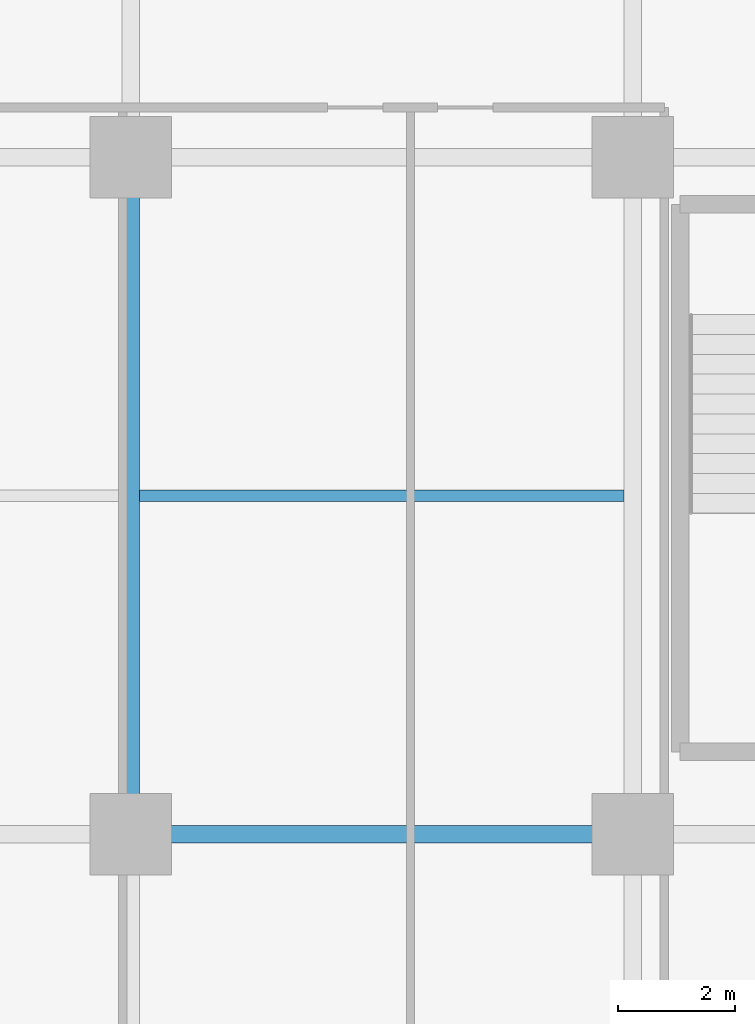
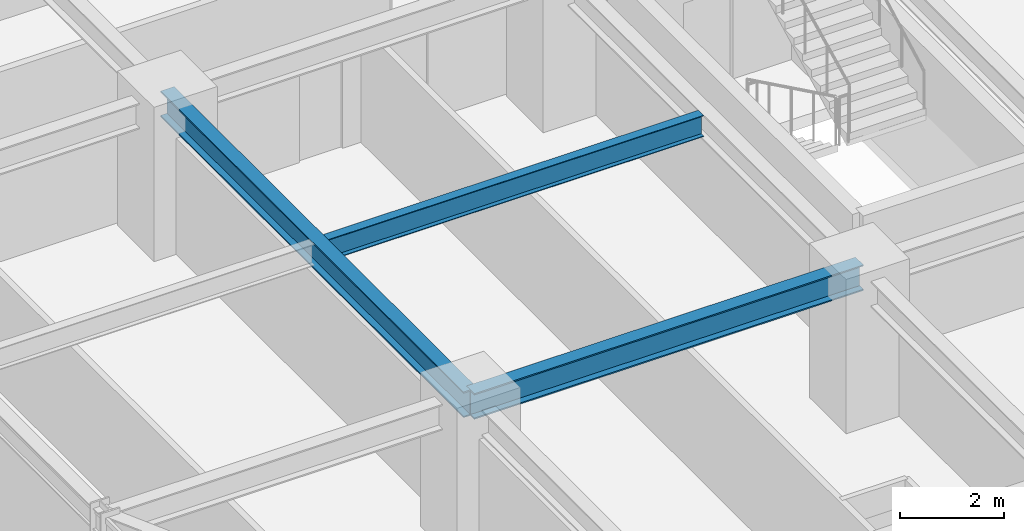
# One storey, part 6 of 36: 3 beams.
"""IFC4 building model written with IfcOpenShell, lengths in metres."""

from ifc_helpers import new_model, si_unit, direction, frame, origin, origin_2d, place, context, subcontext, project, spatial, i_section, extrude, source, transform, mapped, material, material_profile, profile_set, type_object, element, save


model = new_model("IFC4")

# Units and contexts
model_context = context("Model", 3, precision=1e-05, world=origin(), true_north=direction((0.0, 1.0)))
body_context = subcontext(model_context, "Body", "Model", "MODEL_VIEW")
ifc_project = project(units=[si_unit("LENGTHUNIT", "METRE"), si_unit("AREAUNIT", "SQUARE_METRE"), si_unit("VOLUMEUNIT", "CUBIC_METRE"), si_unit("PLANEANGLEUNIT", "RADIAN"), si_unit("MASSUNIT", "GRAM", prefix="KILO")], contexts=[model_context])

# Site, building, storey
site_placement = place(None, origin())
site = spatial("IfcSite", under=ifc_project, at=site_placement, CompositionType="ELEMENT")
building_placement = place(site_placement, origin())
building = spatial("IfcBuilding", under=site, at=building_placement, Name="Nahalor Promenade Grand Hotel", CompositionType="ELEMENT")
storey_placement = place(building_placement, frame((0.0, 0.0, 76.199951171875)))
storey = spatial("IfcBuildingStorey", under=building, at=storey_placement, Name="L18", CompositionType="ELEMENT", Elevation=76.199951171875)

# Beams
ifc_material = material(Name="Steel S355JR", Category="steel")
ifc_material_profile_1 = material_profile(ifc_material, i_section(OverallWidth=0.3, OverallDepth=0.6, WebThickness=0.0155, FlangeThickness=0.03, at=origin_2d()), Name="HEB 600")
ifc_profile_set_1 = profile_set([ifc_material_profile_1], Name="Steel S355JR")
beam_type_1 = type_object("IfcBeamType", Name="Beam-Girder-HEB600", PredefinedType="BEAM", material=ifc_profile_set_1)
shared_shape_1 = source(origin(), body_context, "Body", "SweptSolid", [
    extrude(i_section(OverallWidth=0.3, OverallDepth=0.6, WebThickness=0.0155, FlangeThickness=0.03, at=origin_2d()), origin(), (0.0, 0.0, 1.0), 8.60009765625),
])
beam_1_placement = place(storey_placement, frame((-17.0, -17.0, 3.070068359375), z_axis=(1.0, 0.0, 0.0), x_axis=(0.0, 1.0, 0.0)))
element("IfcBeam", 1, at=beam_1_placement, inside=storey, type_object=beam_type_1, Name="BM-L18-GX-0-1", PredefinedType="BEAM", context=body_context, shape_type="MappedRepresentation", body=[
    mapped(shared_shape_1, transform((0.0, 0.0, 0.0), scale=1.0)),
])
shared_shape_2 = source(origin(), body_context, "Body", "SweptSolid", [
    extrude(i_section(OverallWidth=0.3, OverallDepth=0.6, WebThickness=0.0155, FlangeThickness=0.03, at=origin_2d()), origin(), (0.0, 0.0, 1.0), 11.60009765625),
])
beam_2_placement = place(storey_placement, frame((-17.0, -17.0, 3.070068359375), z_axis=(0.0, 1.0, 0.0), x_axis=(-1.0, 0.0, 0.0)))
element("IfcBeam", 2, at=beam_2_placement, inside=storey, type_object=beam_type_1, Name="BM-L18-GY-0-1", PredefinedType="BEAM", context=body_context, shape_type="MappedRepresentation", body=[
    mapped(shared_shape_2, transform((0.0, 0.0, 0.0), scale=1.0)),
])
ifc_material_profile_2 = material_profile(ifc_material, i_section(OverallWidth=0.2, OverallDepth=0.5, WebThickness=0.0102, FlangeThickness=0.016, at=origin_2d()), Name="IPE 500")
ifc_profile_set_2 = profile_set([ifc_material_profile_2], Name="Steel S355JR")
beam_type_2 = type_object("IfcBeamType", Name="Beam-Joist-IPE500", PredefinedType="JOIST", material=ifc_profile_set_2)
shared_shape_3 = source(origin(), body_context, "Body", "SweptSolid", [
    extrude(i_section(OverallWidth=0.2, OverallDepth=0.5, WebThickness=0.0102, FlangeThickness=0.016, at=origin_2d()), origin(), (0.0, 0.0, 1.0), 8.300048828125),
])
beam_3_placement = place(storey_placement, frame((-16.85009765625, -11.199951171875, 3.1201171875), z_axis=(1.0, 0.0, 0.0), x_axis=(0.0, 1.0, 0.0)))
element("IfcBeam", 3, at=beam_3_placement, inside=storey, type_object=beam_type_2, Name="BM-L18-JSW-0-1", PredefinedType="JOIST", context=body_context, shape_type="MappedRepresentation", body=[
    mapped(shared_shape_3, transform((0.0, 0.0, 0.0), scale=1.0)),
])

save(model, "model.ifc")
